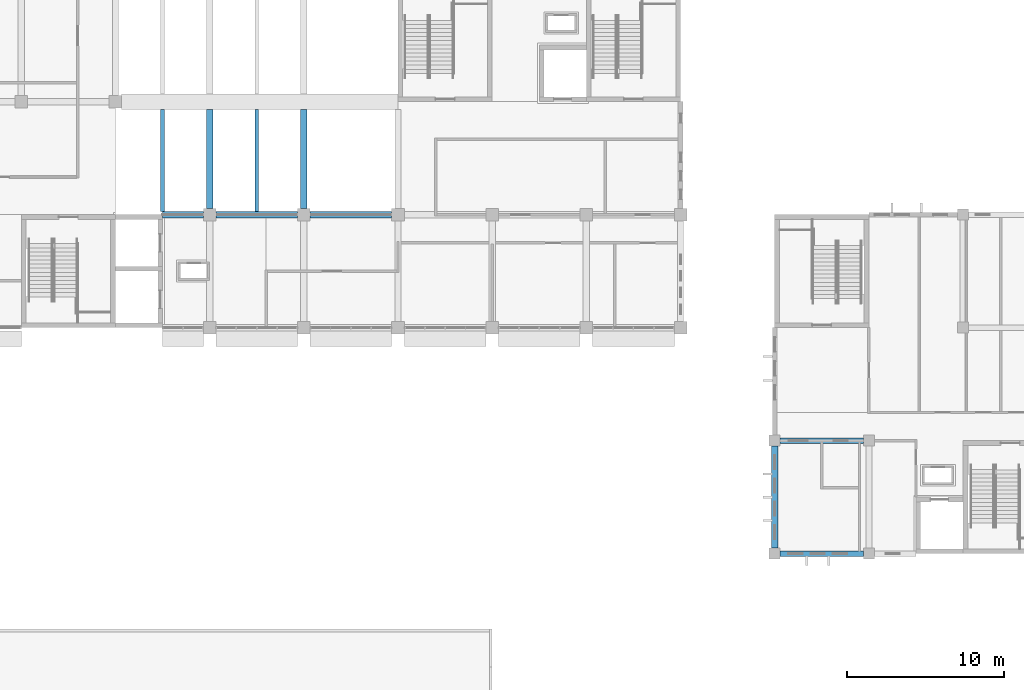
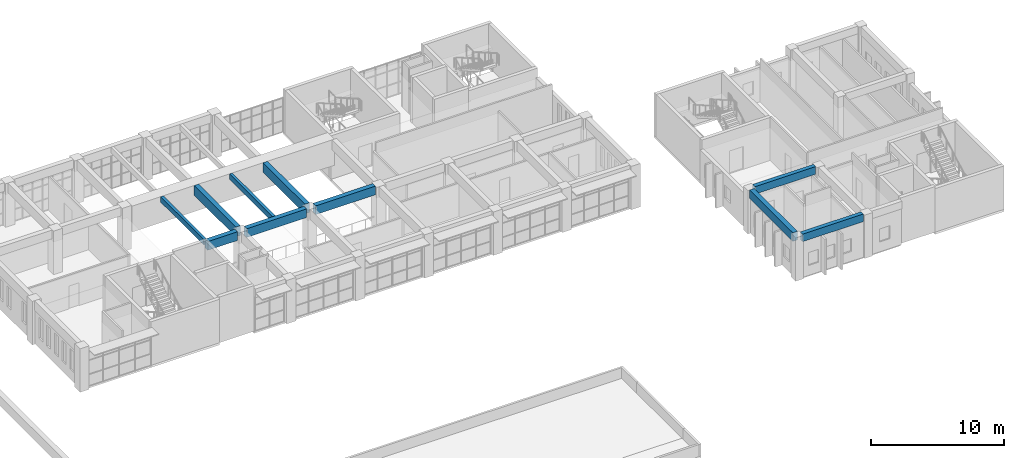
# One storey, part 12 of 47: 10 beams.
"""IFC4 building model written with IfcOpenShell, lengths in metres."""

from ifc_helpers import new_model, si_unit, direction, frame, origin, origin_2d, place, context, subcontext, project, spatial, rectangle, extrude, material, material_profile, profile_set, type_object, element, save


model = new_model("IFC4")

# Units and contexts
model_context = context("Model", 3, precision=1e-05, world=origin(), true_north=direction((0.0, 1.0)))
body_context = subcontext(model_context, "Body", "Model", "MODEL_VIEW")
ifc_project = project(units=[si_unit("LENGTHUNIT", "METRE"), si_unit("AREAUNIT", "SQUARE_METRE"), si_unit("VOLUMEUNIT", "CUBIC_METRE"), si_unit("PLANEANGLEUNIT", "RADIAN"), si_unit("MASSUNIT", "GRAM", prefix="KILO")], contexts=[model_context])

# Site, building, storey
site_placement = place(None, origin())
site = spatial("IfcSite", under=ifc_project, at=site_placement, CompositionType="ELEMENT")
building_placement = place(site_placement, origin())
building = spatial("IfcBuilding", under=site, at=building_placement, Name="Laocheng Heights Fire and Rescue Headquarters", CompositionType="ELEMENT")
storey_placement = place(building_placement, frame((0.0, 0.0, 16.800048828125)))
storey = spatial("IfcBuildingStorey", under=building, at=storey_placement, Name="L04", CompositionType="ELEMENT", Elevation=16.800048828125)

# Beams
ifc_material_1 = material(Name="Concrete C40", Category="concrete")
ifc_material_profile_1 = material_profile(ifc_material_1, rectangle(XDim=0.25, YDim=0.5, at=origin_2d()), Name="RC BEAM 250x500 CONTROL ROOM JOIST")
ifc_profile_set_1 = profile_set([ifc_material_profile_1], Name="Concrete C40")
beam_type_1 = type_object("IfcBeamType", Name="RC BEAM 250x500 CONTROL ROOM JOIST", PredefinedType="BEAM", material=ifc_profile_set_1)
for number, where, z_axis, x_axis, name in (
    (1, (51.0, 57.794921875, 3.75), (0.0, 1.0, 0.0), (-1.0, 0.0, 0.0), "Control room joist"),
    (2, (57.0, 57.794921875, 3.75), (0.0, 1.0, 0.0), (-1.0, 0.0, 0.0), "Control room joist"),
):
    element("IfcBeam", number, at=place(storey_placement, frame(where, z_axis=z_axis, x_axis=x_axis)), inside=storey, type_object=beam_type_1, Name=name, PredefinedType="BEAM", context=body_context, shape_type="SweptSolid", body=[
        extrude(rectangle(XDim=0.25, YDim=0.5, at=origin_2d()), origin(), (0.0, 0.0, 1.0), 6.510009765625),
    ])
ifc_material_2 = material(Name="Concrete C40", Category="concrete")
ifc_material_profile_2 = material_profile(ifc_material_2, rectangle(XDim=0.35009765625, YDim=0.699951171875, at=origin_2d()), Name="RC BEAM 350x700 CREW")
ifc_profile_set_2 = profile_set([ifc_material_profile_2], Name="Concrete C40")
beam_type_2 = type_object("IfcBeamType", Name="RC BEAM 350x700 CREW", PredefinedType="BEAM", material=ifc_profile_set_2)
for number, where, z_axis, x_axis, name in (
    (3, (90.35009765625, 36.0, 3.64990234375), (1.0, 0.0, 0.0), (0.0, 1.0, 0.0), "Crew beam L04"),
    (4, (90.35009765625, 43.199951171875, 3.64990234375), (1.0, 0.0, 0.0), (0.0, 1.0, 0.0), "Crew beam L04"),
):
    element("IfcBeam", number, at=place(storey_placement, frame(where, z_axis=z_axis, x_axis=x_axis)), inside=storey, type_object=beam_type_2, Name=name, PredefinedType="BEAM", context=body_context, shape_type="SweptSolid", body=[
        extrude(rectangle(XDim=0.35009765625, YDim=0.699951171875, at=origin_2d()), origin(), (0.0, 0.0, 1.0), 5.2998046875),
    ])
ifc_material_3 = material(Name="Concrete C40", Category="concrete")
ifc_material_profile_3 = material_profile(ifc_material_3, rectangle(XDim=0.39990234375, YDim=0.800048828125, at=origin_2d()), Name="RC BEAM 400x800 CREW")
ifc_profile_set_3 = profile_set([ifc_material_profile_3], Name="Concrete C40")
beam_type_3 = type_object("IfcBeamType", Name="RC BEAM 400x800 CREW", PredefinedType="BEAM", material=ifc_profile_set_3)
beam_1_placement = place(storey_placement, frame((90.0, 36.35009765625, 3.599853515625), z_axis=(0.0, 1.0, 0.0), x_axis=(-1.0, 0.0, 0.0)))
element("IfcBeam", 5, at=beam_1_placement, inside=storey, type_object=beam_type_3, Name="Crew beam L04", PredefinedType="BEAM", context=body_context, shape_type="SweptSolid", body=[
    extrude(rectangle(XDim=0.39990234375, YDim=0.800048828125, at=origin_2d()), origin(), (0.0, 0.0, 1.0), 6.5),
])
ifc_material_4 = material(Name="Concrete C40", Category="concrete")
ifc_material_profile_4 = material_profile(ifc_material_4, rectangle(XDim=0.39990234375, YDim=0.800048828125, at=origin_2d()), Name="RC BEAM 400x800 HQ")
ifc_profile_set_4 = profile_set([ifc_material_profile_4], Name="Concrete C40")
beam_type_4 = type_object("IfcBeamType", Name="RC BEAM 400x800 HQ", PredefinedType="BEAM", material=ifc_profile_set_4)
beam_2_placement = place(storey_placement, frame((51.0, 57.60009765625, 3.599853515625), z_axis=(1.0, 0.0, 0.0), x_axis=(0.0, 1.0, 0.0)))
element("IfcBeam", 6, at=beam_2_placement, inside=storey, type_object=beam_type_4, Name="HQ beam L04", PredefinedType="BEAM", context=body_context, shape_type="SweptSolid", body=[
    extrude(rectangle(XDim=0.39990234375, YDim=0.800048828125, at=origin_2d()), origin(), (0.0, 0.0, 1.0), 2.60009765625),
])
for number, where, z_axis, x_axis, name in (
    (7, (54.39990234375, 57.60009765625, 3.599853515625), (1.0, 0.0, 0.0), (0.0, 1.0, 0.0), "HQ beam L04"),
    (8, (60.39990234375, 57.60009765625, 3.599853515625), (1.0, 0.0, 0.0), (0.0, 1.0, 0.0), "HQ beam L04"),
):
    element("IfcBeam", number, at=place(storey_placement, frame(where, z_axis=z_axis, x_axis=x_axis)), inside=storey, type_object=beam_type_4, Name=name, PredefinedType="BEAM", context=body_context, shape_type="SweptSolid", body=[
        extrude(rectangle(XDim=0.39990234375, YDim=0.800048828125, at=origin_2d()), origin(), (0.0, 0.0, 1.0), 5.2001953125),
    ])
ifc_material_5 = material(Name="Concrete C40", Category="concrete")
ifc_material_profile_5 = material_profile(ifc_material_5, rectangle(XDim=0.39990234375, YDim=0.89990234375, at=origin_2d()), Name="RC BEAM 400x900 HQ")
ifc_profile_set_5 = profile_set([ifc_material_profile_5], Name="Concrete C40")
beam_type_5 = type_object("IfcBeamType", Name="RC BEAM 400x900 HQ", PredefinedType="BEAM", material=ifc_profile_set_5)
for number, where, z_axis, x_axis, name in (
    (9, (54.0, 58.0, 3.550048828125), (0.0, 1.0, 0.0), (-1.0, 0.0, 0.0), "HQ beam L04"),
    (10, (60.0, 58.0, 3.550048828125), (0.0, 1.0, 0.0), (-1.0, 0.0, 0.0), "HQ beam L04"),
):
    element("IfcBeam", number, at=place(storey_placement, frame(where, z_axis=z_axis, x_axis=x_axis)), inside=storey, type_object=beam_type_5, Name=name, PredefinedType="BEAM", context=body_context, shape_type="SweptSolid", body=[
        extrude(rectangle(XDim=0.39990234375, YDim=0.89990234375, at=origin_2d()), origin(), (0.0, 0.0, 1.0), 6.300048828125),
    ])

save(model, "model.ifc")
